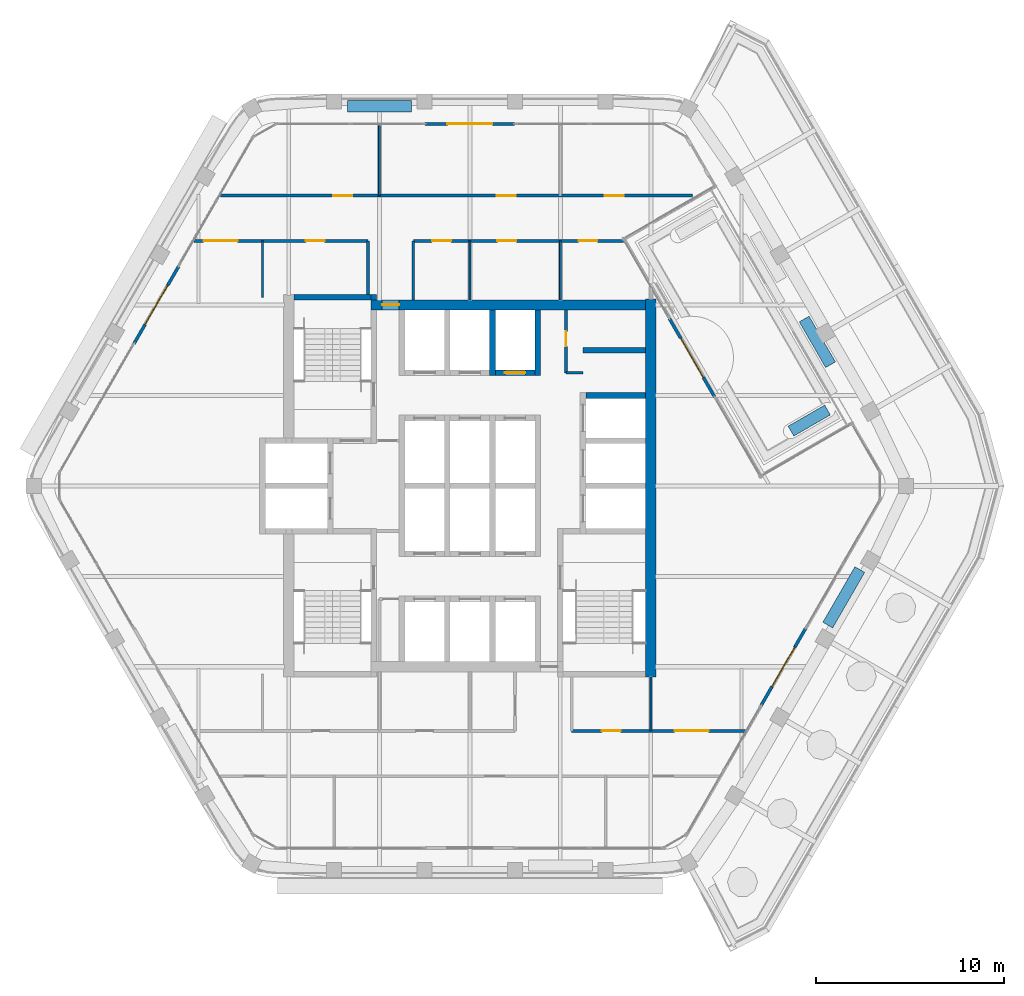
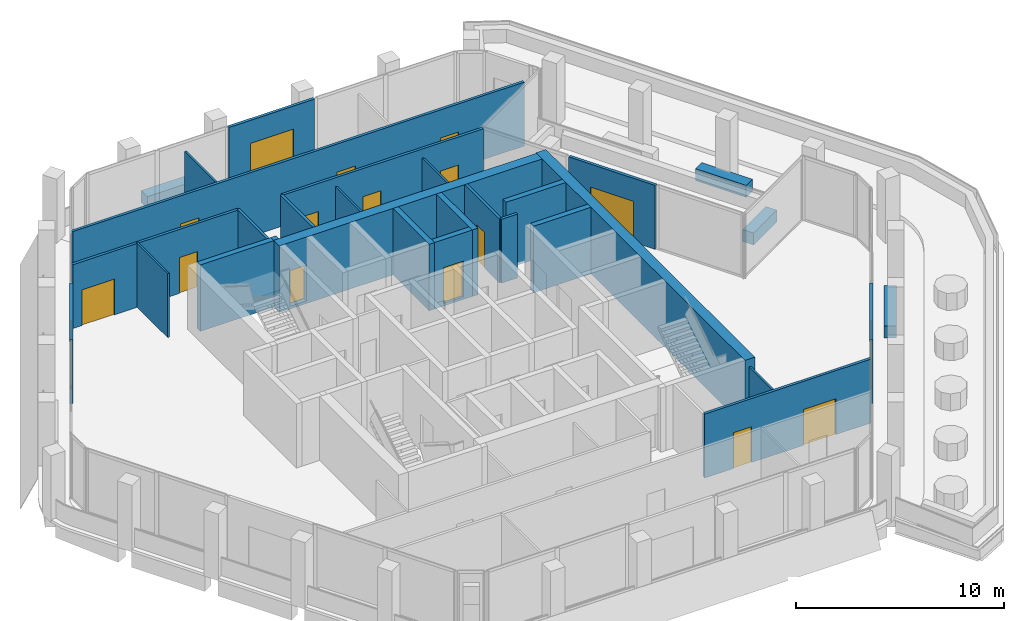
# One storey, part 13 of 17: 30 walls, 17 doors, 17 openings.
"""IFC4 building model written with IfcOpenShell, lengths in metres."""

from ifc_helpers import new_model, si_unit, direction, frame, frame_2d, origin, place, context, subcontext, project, spatial, rectangle, extrude, material, layer, layer_set, type_object, element, fill, save


model = new_model("IFC4")

# Units and contexts
model_context = context("Model", 3, precision=1e-05, world=origin(), true_north=direction((0.0, 1.0)))
body_context = subcontext(model_context, "Body", "Model", "MODEL_VIEW")
ifc_project = project(units=[si_unit("LENGTHUNIT", "METRE"), si_unit("AREAUNIT", "SQUARE_METRE"), si_unit("VOLUMEUNIT", "CUBIC_METRE"), si_unit("PLANEANGLEUNIT", "RADIAN"), si_unit("MASSUNIT", "GRAM", prefix="KILO")], contexts=[model_context])

# Site, building, storey
site_placement = place(None, origin())
site = spatial("IfcSite", under=ifc_project, at=site_placement, CompositionType="ELEMENT")
building_placement = place(site_placement, origin())
building = spatial("IfcBuilding", under=site, at=building_placement, Name="Kolab Exchange Tower", CompositionType="ELEMENT")
storey_placement = place(building_placement, frame((0.0, 0.0, 285.199951171875)))
storey = spatial("IfcBuildingStorey", under=building, at=storey_placement, Name="L64", CompositionType="ELEMENT", Elevation=285.199951171875)

# Wall, opening, door
ifc_material_1 = material(Name="Concrete C50/60", Category="concrete")
ifc_layer_1 = layer(ifc_material_1, 0.550048828125)
ifc_layer_set_1 = layer_set([ifc_layer_1], Name="Concrete C50/60")
wall_type_1 = type_object("IfcWallType", Name="CORE WALL 550 C50/60", PredefinedType="SHEAR", material=ifc_layer_set_1)
wall_1_placement = place(storey_placement, frame((-5.25, 9.60009765625, -0.14990234375), z_axis=(0.0, 0.0, 1.0), x_axis=(1.0, 0.0, 0.0)))
wall_1 = element("IfcWall", 1, at=wall_1_placement, inside=storey, type_object=wall_type_1, Name="wall/L64/core/031", PredefinedType="SHEAR", context=body_context, shape_type="SweptSolid", body=[
    extrude(rectangle(XDim=14.574951171875, YDim=0.550048828125, at=frame_2d((7.28759765625, 0.0))), origin(), (0.0, 0.0, 1.0), 3.89990234375),
])
opening_1_placement = place(wall_1_placement, frame((0.60009765625, 0.0, 0.14990234375)))
opening_1 = element("IfcOpeningElement", 2, at=opening_1_placement, cuts=wall_1, Name="Opening D6-295", PredefinedType="OPENING", context=body_context, shape_type="SweptSolid", body=[
    extrude(rectangle(XDim=0.89990234375, YDim=2.10009765625, at=frame_2d((0.449951171875, 1.050048828125))), frame((0.0, 0.28515625, 0.0), z_axis=(0.0, -1.0, 0.0), x_axis=(1.0, 0.0, 0.0)), (0.0, 0.0, 1.0), 0.570068359375),
])
ifc_material_2 = material(Name="Steel S235", Category="steel")
door_type_1 = type_object("IfcDoorType", Name="CORE DOOR 900 EI 120", OperationType="SINGLE_SWING_LEFT", PredefinedType="DOOR", material=ifc_material_2)
door_1_placement = place(opening_1_placement, frame((0.89990234375, 0.0, 0.0), z_axis=(0.0, 0.0, 1.0), x_axis=(-1.0, 0.0, 0.0)))
door_1 = element("IfcDoor", 3, at=door_1_placement, inside=storey, type_object=door_type_1, Name="Core lobby door", OperationType="SINGLE_SWING_RIGHT", OverallHeight=2.10009765625, OverallWidth=0.89990234375, PredefinedType="DOOR", context=body_context, shape_type="SweptSolid", body=[
    extrude(rectangle(XDim=0.89990234375, YDim=2.10009765625, at=frame_2d((0.449951171875, 1.050048828125))), frame((0.0, 0.02490234375, 0.0), z_axis=(0.0, -1.0, 0.0), x_axis=(1.0, 0.0, 0.0)), (0.0, 0.0, 1.0), 0.050048828125),
])
fill(opening_1, door_1)

# Wall
wall_2_placement = place(storey_placement, frame((9.60009765625, -10.14990234375, -0.14990234375), z_axis=(0.0, 0.0, 1.0), x_axis=(0.0, 1.0, 0.0)))
element("IfcWall", 4, at=wall_2_placement, inside=storey, type_object=wall_type_1, Name="wall/L64/core/058", PredefinedType="SHEAR", context=body_context, shape_type="SweptSolid", body=[
    extrude(rectangle(XDim=20.074951171875, YDim=0.550048828125, at=frame_2d((10.03759765625, 0.0))), origin(), (0.0, 0.0, 1.0), 3.89990234375),
])

# Wall, opening, door
ifc_material_3 = material(Name="Aluminium EN AW-6063 T6", Category="aluminium")
ifc_layer_2 = layer(ifc_material_3, 0.159912109375)
ifc_layer_set_2 = layer_set([ifc_layer_2], Name="Aluminium EN AW-6063 T6")
wall_type_2 = type_object("IfcWallType", Name="DOOR SURROUND WALL 160 ALUMINIUM FRAMED", PredefinedType="PARTITIONING", material=ifc_layer_set_2)
wall_3_placement = place(storey_placement, frame((-2.3701171875, 19.20458984375, 0.0), z_axis=(0.0, 0.0, 1.0), x_axis=(1.0, 0.0, 0.0)))
wall_3 = element("IfcWall", 5, at=wall_3_placement, inside=storey, type_object=wall_type_2, Name="Door surround wall", PredefinedType="PARTITIONING", context=body_context, shape_type="SweptSolid", body=[
    extrude(rectangle(XDim=4.740234375, YDim=0.159912109375, at=frame_2d((2.3701171875, 0.0))), origin(), (0.0, 0.0, 1.0), 3.75),
])
opening_2_placement = place(wall_3_placement, frame((1.169921875, 0.0, 0.0)))
opening_2 = element("IfcOpeningElement", 6, at=opening_2_placement, cuts=wall_3, Name="Opening GD1-089", PredefinedType="OPENING", context=body_context, shape_type="SweptSolid", body=[
    extrude(rectangle(XDim=2.39990234375, YDim=2.39990234375, at=frame_2d((1.199951171875, 1.199951171875))), frame((0.0, 0.08984375, 0.0), z_axis=(0.0, -1.0, 0.0), x_axis=(1.0, 0.0, 0.0)), (0.0, 0.0, 1.0), 0.179931640625),
])
door_type_2 = type_object("IfcDoorType", Name="LOGGIA SLIDING GLASS DOOR 2400 X 2400", OperationType="DOUBLE_DOOR_SINGLE_SWING", PredefinedType="DOOR", material=ifc_material_3)
door_2_placement = place(opening_2_placement, origin())
door_2 = element("IfcDoor", 7, at=door_2_placement, inside=storey, type_object=door_type_2, Name="Loggia door", OperationType="DOUBLE_DOOR_SLIDING", OverallHeight=2.39990234375, OverallWidth=2.39990234375, PredefinedType="DOOR", context=body_context, shape_type="SweptSolid", body=[
    extrude(rectangle(XDim=2.39990234375, YDim=2.39990234375, at=frame_2d((1.199951171875, 1.199951171875))), frame((0.0, 0.02490234375, 0.0), z_axis=(0.0, -1.0, 0.0), x_axis=(1.0, 0.0, 0.0)), (0.0, 0.0, 1.0), 0.050048828125),
])
fill(opening_2, door_2)

wall_4_placement = place(storey_placement, frame((10.58349609375, 8.8779296875, 0.0), z_axis=(0.0, 0.0, 1.0), x_axis=(0.500011970786, -0.866018492338, 0.0)))
wall_4 = element("IfcWall", 8, at=wall_4_placement, inside=storey, type_object=wall_type_2, Name="Door surround wall", PredefinedType="PARTITIONING", context=body_context, shape_type="SweptSolid", body=[
    extrude(rectangle(XDim=4.79345703125, YDim=0.159912109375, at=frame_2d((2.396728515625, 0.0))), origin(), (0.0, 0.0, 1.0), 3.75),
])
opening_3_placement = place(wall_4_placement, frame((1.19677734375, 0.0, 0.0)))
opening_3 = element("IfcOpeningElement", 9, at=opening_3_placement, cuts=wall_4, Name="Opening GD1-115", PredefinedType="OPENING", context=body_context, shape_type="SweptSolid", body=[
    extrude(rectangle(XDim=2.39990234375, YDim=2.39990234375, at=frame_2d((1.199951171875, 1.199951171875))), frame((0.0, 0.08984375, 0.0), z_axis=(0.0, -1.0, 0.0), x_axis=(1.0, 0.0, 0.0)), (0.0, 0.0, 1.0), 0.179931640625),
])
door_3_placement = place(opening_3_placement, origin())
door_3 = element("IfcDoor", 10, at=door_3_placement, inside=storey, type_object=door_type_2, Name="Loggia door", OperationType="DOUBLE_DOOR_SLIDING", OverallHeight=2.39990234375, OverallWidth=2.39990234375, PredefinedType="DOOR", context=body_context, shape_type="SweptSolid", body=[
    extrude(rectangle(XDim=2.39990234375, YDim=2.39990234375, at=frame_2d((1.199951171875, 1.199951171875))), frame((0.0, 0.02490234375, 0.0), z_axis=(0.0, -1.0, 0.0), x_axis=(1.0, 0.0, 0.0)), (0.0, 0.0, 1.0), 0.050048828125),
])
fill(opening_3, door_3)

wall_5_placement = place(storey_placement, frame((17.816650390625, -7.5498046875, 0.0), z_axis=(0.0, 0.0, 1.0), x_axis=(-0.499978080042, -0.866038058908, 0.0)))
wall_5 = element("IfcWall", 11, at=wall_5_placement, inside=storey, type_object=wall_type_2, Name="Door surround wall", PredefinedType="PARTITIONING", context=body_context, shape_type="SweptSolid", body=[
    extrude(rectangle(XDim=4.739990234375, YDim=0.159912109375, at=frame_2d((2.3701171875, 0.0))), origin(), (0.0, 0.0, 1.0), 3.75),
])
opening_4_placement = place(wall_5_placement, frame((1.169921875, 0.0, 0.0)))
opening_4 = element("IfcOpeningElement", 12, at=opening_4_placement, cuts=wall_5, Name="Opening GD1-091", PredefinedType="OPENING", context=body_context, shape_type="SweptSolid", body=[
    extrude(rectangle(XDim=2.39990234375, YDim=2.39990234375, at=frame_2d((1.199951171875, 1.199951171875))), frame((0.0, 0.08984375, 0.0), z_axis=(0.0, -1.0, 0.0), x_axis=(1.0, 0.0, 0.0)), (0.0, 0.0, 1.0), 0.179931640625),
])
door_4_placement = place(opening_4_placement, origin())
door_4 = element("IfcDoor", 13, at=door_4_placement, inside=storey, type_object=door_type_2, Name="Loggia door", OperationType="DOUBLE_DOOR_SLIDING", OverallHeight=2.39990234375, OverallWidth=2.39990234375, PredefinedType="DOOR", context=body_context, shape_type="SweptSolid", body=[
    extrude(rectangle(XDim=2.39990234375, YDim=2.39990234375, at=frame_2d((1.199951171875, 1.199951171875))), frame((0.0, 0.02490234375, 0.0), z_axis=(0.0, -1.0, 0.0), x_axis=(1.0, 0.0, 0.0)), (0.0, 0.0, 1.0), 0.050048828125),
])
fill(opening_4, door_4)

wall_6_placement = place(storey_placement, frame((-17.816650390625, 7.5498046875, 0.0), z_axis=(0.0, 0.0, 1.0), x_axis=(0.499978080042, 0.866038058908, 0.0)))
wall_6 = element("IfcWall", 14, at=wall_6_placement, inside=storey, type_object=wall_type_2, Name="Door surround wall", PredefinedType="PARTITIONING", context=body_context, shape_type="SweptSolid", body=[
    extrude(rectangle(XDim=4.739990234375, YDim=0.159912109375, at=frame_2d((2.3701171875, 0.0))), origin(), (0.0, 0.0, 1.0), 3.75),
])
opening_5_placement = place(wall_6_placement, frame((1.169921875, 0.0, 0.0)))
opening_5 = element("IfcOpeningElement", 15, at=opening_5_placement, cuts=wall_6, Name="Opening GD1-094", PredefinedType="OPENING", context=body_context, shape_type="SweptSolid", body=[
    extrude(rectangle(XDim=2.39990234375, YDim=2.39990234375, at=frame_2d((1.199951171875, 1.199951171875))), frame((0.0, 0.08984375, 0.0), z_axis=(0.0, -1.0, 0.0), x_axis=(1.0, 0.0, 0.0)), (0.0, 0.0, 1.0), 0.179931640625),
])
door_5_placement = place(opening_5_placement, origin())
door_5 = element("IfcDoor", 16, at=door_5_placement, inside=storey, type_object=door_type_2, Name="Loggia door", OperationType="DOUBLE_DOOR_SLIDING", OverallHeight=2.39990234375, OverallWidth=2.39990234375, PredefinedType="DOOR", context=body_context, shape_type="SweptSolid", body=[
    extrude(rectangle(XDim=2.39990234375, YDim=2.39990234375, at=frame_2d((1.199951171875, 1.199951171875))), frame((0.0, 0.02490234375, 0.0), z_axis=(0.0, -1.0, 0.0), x_axis=(1.0, 0.0, 0.0)), (0.0, 0.0, 1.0), 0.050048828125),
])
fill(opening_5, door_5)

# Wall
ifc_layer_3 = layer(ifc_material_1, 0.300048828125)
ifc_layer_set_3 = layer_set([ifc_layer_3], Name="Concrete C50/60")
wall_type_3 = type_object("IfcWallType", Name="LIFT SHAFT WALL 300 C50/60", PredefinedType="STANDARD", material=ifc_layer_set_3)
wall_7_placement = place(storey_placement, frame((6.14990234375, 4.800048828125, -0.14990234375), z_axis=(0.0, 0.0, 1.0), x_axis=(1.0, 0.0, 0.0)))
element("IfcWall", 17, at=wall_7_placement, inside=storey, type_object=wall_type_3, Name="wall/L64/core/026", PredefinedType="STANDARD", context=body_context, shape_type="SweptSolid", body=[
    extrude(rectangle(XDim=3.175048828125, YDim=0.300048828125, at=frame_2d((1.58740234375, 0.0))), origin(), (0.0, 0.0, 1.0), 3.89990234375),
])

# Wall, opening, door
wall_8_placement = place(storey_placement, frame((1.35009765625, 6.0, -0.14990234375), z_axis=(0.0, 0.0, 1.0), x_axis=(1.0, 0.0, 0.0)))
wall_8 = element("IfcWall", 18, at=wall_8_placement, inside=storey, type_object=wall_type_3, Name="wall/L64/core/029", PredefinedType="STANDARD", context=body_context, shape_type="SweptSolid", body=[
    extrude(rectangle(XDim=2.099853515625, YDim=0.300048828125, at=frame_2d((1.0498046875, 0.0))), origin(), (0.0, 0.0, 1.0), 3.89990234375),
])
opening_6_placement = place(wall_8_placement, frame((0.5, 0.0, 0.14990234375)))
opening_6 = element("IfcOpeningElement", 19, at=opening_6_placement, cuts=wall_8, Name="Opening LD1-114", PredefinedType="OPENING", context=body_context, shape_type="SweptSolid", body=[
    extrude(rectangle(XDim=1.10009765625, YDim=2.10009765625, at=frame_2d((0.550048828125, 1.050048828125))), frame((0.0, 0.16015625, 0.0), z_axis=(0.0, -1.0, 0.0), x_axis=(1.0, 0.0, 0.0)), (0.0, 0.0, 1.0), 0.320068359375),
])
ifc_material_4 = material(Name="Stainless steel 316", Category="steel")
door_type_3 = type_object("IfcDoorType", Name="LANDING DOOR 1100 PASSENGER", OperationType="DOUBLE_DOOR_SLIDING", PredefinedType="DOOR", material=ifc_material_4)
door_6_placement = place(opening_6_placement, origin())
door_6 = element("IfcDoor", 20, at=door_6_placement, inside=storey, type_object=door_type_3, Name="Landing door HR3", OperationType="DOUBLE_DOOR_SLIDING", OverallHeight=2.10009765625, OverallWidth=1.10009765625, PredefinedType="DOOR", context=body_context, shape_type="SweptSolid", body=[
    extrude(rectangle(XDim=1.10009765625, YDim=2.10009765625, at=frame_2d((0.550048828125, 1.050048828125))), frame((0.0, 0.02490234375, 0.0), z_axis=(0.0, -1.0, 0.0), x_axis=(1.0, 0.0, 0.0)), (0.0, 0.0, 1.0), 0.050048828125),
])
fill(opening_6, door_6)

# Walls
wall_9_placement = place(storey_placement, frame((6.0, 7.199951171875, -0.14990234375), z_axis=(0.0, 0.0, 1.0), x_axis=(1.0, 0.0, 0.0)))
element("IfcWall", 21, at=wall_9_placement, inside=storey, type_object=wall_type_3, Name="wall/L64/core/030", PredefinedType="STANDARD", context=body_context, shape_type="SweptSolid", body=[
    extrude(rectangle(XDim=3.324951171875, YDim=0.300048828125, at=frame_2d((1.66259765625, 0.0))), origin(), (0.0, 0.0, 1.0), 3.89990234375),
])
for number, where, z_axis, x_axis, name in (
    (22, (1.199951171875, 5.85009765625, -0.14990234375), (0.0, 0.0, 1.0), (0.0, 1.0, 0.0), "wall/L64/core/051"),
    (23, (3.60009765625, 5.85009765625, -0.14990234375), (0.0, 0.0, 1.0), (0.0, 1.0, 0.0), "wall/L64/core/054"),
):
    element("IfcWall", number, at=place(storey_placement, frame(where, z_axis=z_axis, x_axis=x_axis)), inside=storey, type_object=wall_type_3, Name=name, PredefinedType="STANDARD", context=body_context, shape_type="SweptSolid", body=[
        extrude(rectangle(XDim=3.474853515625, YDim=0.300048828125, at=frame_2d((1.7373046875, 0.0))), origin(), (0.0, 0.0, 1.0), 3.89990234375),
    ])
ifc_material_5 = material(Name="Gypsum board", Category="gypsum")
ifc_layer_4 = layer(ifc_material_5, 0.10009765625)
ifc_layer_set_4 = layer_set([ifc_layer_4], Name="Gypsum board")
wall_type_4 = type_object("IfcWallType", Name="PARTITION 100", PredefinedType="PARTITIONING", material=ifc_layer_set_4)
wall_10_placement = place(storey_placement, frame((9.60009765625, -13.0, 0.0), z_axis=(0.0, 0.0, 1.0), x_axis=(0.0, 1.0, 0.0)))
element("IfcWall", 24, at=wall_10_placement, inside=storey, type_object=wall_type_4, Name="Partition 000", PredefinedType="PARTITIONING", context=body_context, shape_type="SweptSolid", body=[
    extrude(rectangle(XDim=2.85009765625, YDim=0.10009765625, at=frame_2d((1.425048828125, 0.0))), origin(), (0.0, 0.0, 1.0), 3.29296875),
])
for number, where, z_axis, x_axis, name in (
    (25, (4.800048828125, 9.875, 0.0), (0.0, 0.0, 1.0), (0.0, 1.0, 0.0), "Partition 005"),
    (26, (0.0, 9.875, 0.0), (0.0, 0.0, 1.0), (0.0, 1.0, 0.0), "Partition 009"),
):
    element("IfcWall", number, at=place(storey_placement, frame(where, z_axis=z_axis, x_axis=x_axis)), inside=storey, type_object=wall_type_4, Name=name, PredefinedType="PARTITIONING", context=body_context, shape_type="SweptSolid", body=[
        extrude(rectangle(XDim=3.125, YDim=0.10009765625, at=frame_2d((1.5625, 0.0))), origin(), (0.0, 0.0, 1.0), 3.217041015625),
    ])
wall_11_placement = place(storey_placement, frame((-4.800048828125, 15.39990234375, 0.0), z_axis=(0.0, 0.0, 1.0), x_axis=(0.0, 1.0, 0.0)))
element("IfcWall", 27, at=wall_11_placement, inside=storey, type_object=wall_type_4, Name="Partition 012", PredefinedType="PARTITIONING", context=body_context, shape_type="SweptSolid", body=[
    extrude(rectangle(XDim=3.714599609375, YDim=0.10009765625, at=frame_2d((1.857421875, 0.0))), origin(), (0.0, 0.0, 1.0), 3.217041015625),
])
wall_12_placement = place(storey_placement, frame((-11.0, 10.0, 0.0), z_axis=(0.0, 0.0, 1.0), x_axis=(0.0, 1.0, 0.0)))
element("IfcWall", 28, at=wall_12_placement, inside=storey, type_object=wall_type_4, Name="Partition 017", PredefinedType="PARTITIONING", context=body_context, shape_type="SweptSolid", body=[
    extrude(rectangle(XDim=3.0, YDim=0.10009765625, at=frame_2d((1.5, 0.0))), origin(), (0.0, 0.0, 1.0), 3.75),
])

# Wall, opening, door
ifc_layer_5 = layer(ifc_material_5, 0.14990234375)
ifc_layer_set_5 = layer_set([ifc_layer_5], Name="Gypsum board")
wall_type_5 = type_object("IfcWallType", Name="PARTITION 150 FIRE-RATED", PredefinedType="PARTITIONING", material=ifc_layer_set_5)
wall_13_placement = place(storey_placement, frame((5.10009765625, 6.0, 0.0), z_axis=(0.0, 0.0, 1.0), x_axis=(0.0, 1.0, 0.0)))
wall_13 = element("IfcWall", 29, at=wall_13_placement, inside=storey, type_object=wall_type_5, Name="Partition 004", PredefinedType="PARTITIONING", context=body_context, shape_type="SweptSolid", body=[
    extrude(rectangle(XDim=3.324951171875, YDim=0.14990234375, at=frame_2d((1.66259765625, 0.0))), origin(), (0.0, 0.0, 1.0), 3.75),
])
opening_7_placement = place(wall_13_placement, frame((1.39990234375, 0.0, 0.0)))
opening_7 = element("IfcOpeningElement", 30, at=opening_7_placement, cuts=wall_13, Name="Opening D7-042", PredefinedType="OPENING", context=body_context, shape_type="SweptSolid", body=[
    extrude(rectangle(XDim=0.800048828125, YDim=2.10009765625, at=frame_2d((0.39990234375, 1.050048828125))), frame((0.0, 0.0849609375, 0.0), z_axis=(0.0, -1.0, 0.0), x_axis=(1.0, 0.0, 0.0)), (0.0, 0.0, 1.0), 0.169921875),
])
door_type_4 = type_object("IfcDoorType", Name="FLUSH DOOR 800 FD60", OperationType="SINGLE_SWING_LEFT", PredefinedType="DOOR", material=ifc_material_2)
door_7_placement = place(opening_7_placement, frame((0.800048828125, 0.0, 0.0), z_axis=(0.0, 0.0, 1.0), x_axis=(-1.0, 0.0, 0.0)))
door_7 = element("IfcDoor", 31, at=door_7_placement, inside=storey, type_object=door_type_4, Name="Door L64-023", OperationType="SINGLE_SWING_LEFT", OverallHeight=2.10009765625, OverallWidth=0.800048828125, PredefinedType="DOOR", context=body_context, shape_type="SweptSolid", body=[
    extrude(rectangle(XDim=0.800048828125, YDim=2.10009765625, at=frame_2d((0.39990234375, 1.050048828125))), frame((0.0, 0.02490234375, 0.0), z_axis=(0.0, -1.0, 0.0), x_axis=(1.0, 0.0, 0.0)), (0.0, 0.0, 1.0), 0.050048828125),
])
fill(opening_7, door_7)

# Walls
wall_14_placement = place(storey_placement, frame((-3.0, 9.875, 0.0), z_axis=(0.0, 0.0, 1.0), x_axis=(0.0, 1.0, 0.0)))
element("IfcWall", 32, at=wall_14_placement, inside=storey, type_object=wall_type_5, Name="Partition 010", PredefinedType="PARTITIONING", context=body_context, shape_type="SweptSolid", body=[
    extrude(rectangle(XDim=3.125, YDim=0.14990234375, at=frame_2d((1.5625, 0.0))), origin(), (0.0, 0.0, 1.0), 3.75),
])
wall_15_placement = place(storey_placement, frame((-5.39990234375, 10.14990234375, 0.0), z_axis=(0.0, 0.0, 1.0), x_axis=(0.0, 1.0, 0.0)))
element("IfcWall", 33, at=wall_15_placement, inside=storey, type_object=wall_type_5, Name="Partition 014", PredefinedType="PARTITIONING", context=body_context, shape_type="SweptSolid", body=[
    extrude(rectangle(XDim=2.85009765625, YDim=0.14990234375, at=frame_2d((1.425048828125, 0.0))), origin(), (0.0, 0.0, 1.0), 3.75),
])

# Wall, openings, doors
wall_16_placement = place(storey_placement, frame((5.39990234375, -13.0, 0.0), z_axis=(0.0, 0.0, 1.0), x_axis=(1.0, 0.0, 0.0)))
wall_16 = element("IfcWall", 34, at=wall_16_placement, inside=storey, type_object=wall_type_5, Name="Partition 020", PredefinedType="PARTITIONING", context=body_context, shape_type="SweptSolid", body=[
    extrude(rectangle(XDim=9.223876953125, YDim=0.14990234375, at=frame_2d((4.61181640625, 0.0))), origin(), (0.0, 0.0, 1.0), 3.75),
])
opening_8_placement = place(wall_16_placement, frame((1.60009765625, 0.0, 0.0)))
opening_8 = element("IfcOpeningElement", 35, at=opening_8_placement, cuts=wall_16, Name="Opening D1-745", PredefinedType="OPENING", context=body_context, shape_type="SweptSolid", body=[
    extrude(rectangle(XDim=1.0, YDim=2.10009765625, at=frame_2d((0.5, 1.050048828125))), frame((0.0, 0.0849609375, 0.0), z_axis=(0.0, -1.0, 0.0), x_axis=(1.0, 0.0, 0.0)), (0.0, 0.0, 1.0), 0.169921875),
])
opening_9_placement = place(wall_16_placement, frame((5.466796875, 0.0, 0.0)))
opening_9 = element("IfcOpeningElement", 36, at=opening_9_placement, cuts=wall_16, Name="Opening D2-076", PredefinedType="OPENING", context=body_context, shape_type="SweptSolid", body=[
    extrude(rectangle(XDim=1.800048828125, YDim=2.10009765625, at=frame_2d((0.89990234375, 1.050048828125))), frame((0.0, 0.0849609375, 0.0), z_axis=(0.0, -1.0, 0.0), x_axis=(1.0, 0.0, 0.0)), (0.0, 0.0, 1.0), 0.169921875),
])
door_type_5 = type_object("IfcDoorType", Name="DOUBLE DOOR 1800 FD60", OperationType="DOUBLE_DOOR_SINGLE_SWING", PredefinedType="DOOR", material=ifc_material_2)
door_8_placement = place(opening_9_placement, origin())
door_8 = element("IfcDoor", 37, at=door_8_placement, inside=storey, type_object=door_type_5, Name="Door L64-045", OperationType="SINGLE_SWING_LEFT", OverallHeight=2.10009765625, OverallWidth=1.800048828125, PredefinedType="DOOR", context=body_context, shape_type="SweptSolid", body=[
    extrude(rectangle(XDim=1.800048828125, YDim=2.10009765625, at=frame_2d((0.89990234375, 1.050048828125))), frame((0.0, 0.02490234375, 0.0), z_axis=(0.0, -1.0, 0.0), x_axis=(1.0, 0.0, 0.0)), (0.0, 0.0, 1.0), 0.050048828125),
])
fill(opening_9, door_8)
door_type_6 = type_object("IfcDoorType", Name="FLUSH DOOR 1000 FD60", OperationType="SINGLE_SWING_LEFT", PredefinedType="DOOR", material=ifc_material_2)
door_9_placement = place(opening_8_placement, origin())
door_9 = element("IfcDoor", 38, at=door_9_placement, inside=storey, type_object=door_type_6, Name="Door L64-035", OperationType="SINGLE_SWING_LEFT", OverallHeight=2.10009765625, OverallWidth=1.0, PredefinedType="DOOR", context=body_context, shape_type="SweptSolid", body=[
    extrude(rectangle(XDim=1.0, YDim=2.10009765625, at=frame_2d((0.5, 1.050048828125))), frame((0.0, 0.02490234375, 0.0), z_axis=(0.0, -1.0, 0.0), x_axis=(1.0, 0.0, 0.0)), (0.0, 0.0, 1.0), 0.050048828125),
])
fill(opening_8, door_9)

# Wall
wall_17_placement = place(storey_placement, frame((5.10009765625, 6.0, 0.0), z_axis=(0.0, 0.0, 1.0), x_axis=(1.0, 0.0, 0.0)))
element("IfcWall", 39, at=wall_17_placement, inside=storey, type_object=wall_type_5, Name="Partition 022", PredefinedType="PARTITIONING", context=body_context, shape_type="SweptSolid", body=[
    extrude(rectangle(XDim=0.89990234375, YDim=0.14990234375, at=frame_2d((0.449951171875, 0.0))), origin(), (0.0, 0.0, 1.0), 3.75),
])

# Wall, openings, doors
wall_18_placement = place(storey_placement, frame((-14.623779296875, 13.0, 0.0), z_axis=(0.0, 0.0, 1.0), x_axis=(1.0, 0.0, 0.0)))
wall_18 = element("IfcWall", 40, at=wall_18_placement, inside=storey, type_object=wall_type_5, Name="Partition 023", PredefinedType="PARTITIONING", context=body_context, shape_type="SweptSolid", body=[
    extrude(rectangle(XDim=9.223876953125, YDim=0.14990234375, at=frame_2d((4.61181640625, 0.0))), origin(), (0.0, 0.0, 1.0), 3.75),
])
opening_10_placement = place(wall_18_placement, frame((5.923828125, 0.0, 0.0)))
opening_10 = element("IfcOpeningElement", 41, at=opening_10_placement, cuts=wall_18, Name="Opening D1-744", PredefinedType="OPENING", context=body_context, shape_type="SweptSolid", body=[
    extrude(rectangle(XDim=1.0, YDim=2.10009765625, at=frame_2d((0.5, 1.050048828125))), frame((0.0, 0.0849609375, 0.0), z_axis=(0.0, -1.0, 0.0), x_axis=(1.0, 0.0, 0.0)), (0.0, 0.0, 1.0), 0.169921875),
])
opening_11_placement = place(wall_18_placement, frame((0.501953125, 0.0, 0.0)))
opening_11 = element("IfcOpeningElement", 42, at=opening_11_placement, cuts=wall_18, Name="Opening D2-077", PredefinedType="OPENING", context=body_context, shape_type="SweptSolid", body=[
    extrude(rectangle(XDim=1.800048828125, YDim=2.10009765625, at=frame_2d((0.89990234375, 1.050048828125))), frame((0.0, 0.0849609375, 0.0), z_axis=(0.0, -1.0, 0.0), x_axis=(1.0, 0.0, 0.0)), (0.0, 0.0, 1.0), 0.169921875),
])
door_10_placement = place(opening_11_placement, frame((1.800048828125, 0.0, 0.0), z_axis=(0.0, 0.0, 1.0), x_axis=(-1.0, 0.0, 0.0)))
door_10 = element("IfcDoor", 43, at=door_10_placement, inside=storey, type_object=door_type_5, Name="Door L64-046", OperationType="SINGLE_SWING_LEFT", OverallHeight=2.10009765625, OverallWidth=1.800048828125, PredefinedType="DOOR", context=body_context, shape_type="SweptSolid", body=[
    extrude(rectangle(XDim=1.800048828125, YDim=2.10009765625, at=frame_2d((0.89990234375, 1.050048828125))), frame((0.0, 0.02490234375, 0.0), z_axis=(0.0, -1.0, 0.0), x_axis=(1.0, 0.0, 0.0)), (0.0, 0.0, 1.0), 0.050048828125),
])
fill(opening_11, door_10)
door_11_placement = place(opening_10_placement, frame((1.0, 0.0, 0.0), z_axis=(0.0, 0.0, 1.0), x_axis=(-1.0, 0.0, 0.0)))
door_11 = element("IfcDoor", 44, at=door_11_placement, inside=storey, type_object=door_type_6, Name="Door L64-034", OperationType="SINGLE_SWING_RIGHT", OverallHeight=2.10009765625, OverallWidth=1.0, PredefinedType="DOOR", context=body_context, shape_type="SweptSolid", body=[
    extrude(rectangle(XDim=1.0, YDim=2.10009765625, at=frame_2d((0.5, 1.050048828125))), frame((0.0, 0.02490234375, 0.0), z_axis=(0.0, -1.0, 0.0), x_axis=(1.0, 0.0, 0.0)), (0.0, 0.0, 1.0), 0.050048828125),
])
fill(opening_10, door_11)

wall_19_placement = place(storey_placement, frame((-3.0, 13.0, 0.0), z_axis=(0.0, 0.0, 1.0), x_axis=(1.0, 0.0, 0.0)))
wall_19 = element("IfcWall", 45, at=wall_19_placement, inside=storey, type_object=wall_type_5, Name="Partition 024", PredefinedType="PARTITIONING", context=body_context, shape_type="SweptSolid", body=[
    extrude(rectangle(XDim=11.157470703125, YDim=0.14990234375, at=frame_2d((5.57861328125, 0.0))), origin(), (0.0, 0.0, 1.0), 3.75),
])
opening_12_placement = place(wall_19_placement, frame((1.0, 0.0, 0.0)))
opening_12 = element("IfcOpeningElement", 46, at=opening_12_placement, cuts=wall_19, Name="Opening D1-741", PredefinedType="OPENING", context=body_context, shape_type="SweptSolid", body=[
    extrude(rectangle(XDim=1.0, YDim=2.10009765625, at=frame_2d((0.5, 1.050048828125))), frame((0.0, 0.0849609375, 0.0), z_axis=(0.0, -1.0, 0.0), x_axis=(1.0, 0.0, 0.0)), (0.0, 0.0, 1.0), 0.169921875),
])
opening_13_placement = place(wall_19_placement, frame((4.465087890625, 0.0, 0.0)))
opening_13 = element("IfcOpeningElement", 47, at=opening_13_placement, cuts=wall_19, Name="Opening D1-742", PredefinedType="OPENING", context=body_context, shape_type="SweptSolid", body=[
    extrude(rectangle(XDim=1.0, YDim=2.10009765625, at=frame_2d((0.5, 1.050048828125))), frame((0.0, 0.0849609375, 0.0), z_axis=(0.0, -1.0, 0.0), x_axis=(1.0, 0.0, 0.0)), (0.0, 0.0, 1.0), 0.169921875),
])
opening_14_placement = place(wall_19_placement, frame((8.763671875, 0.0, 0.0)))
opening_14 = element("IfcOpeningElement", 48, at=opening_14_placement, cuts=wall_19, Name="Opening D1-743", PredefinedType="OPENING", context=body_context, shape_type="SweptSolid", body=[
    extrude(rectangle(XDim=1.0, YDim=2.10009765625, at=frame_2d((0.5, 1.050048828125))), frame((0.0, 0.0849609375, 0.0), z_axis=(0.0, -1.0, 0.0), x_axis=(1.0, 0.0, 0.0)), (0.0, 0.0, 1.0), 0.169921875),
])
door_12_placement = place(opening_12_placement, frame((1.0, 0.0, 0.0), z_axis=(0.0, 0.0, 1.0), x_axis=(-1.0, 0.0, 0.0)))
door_12 = element("IfcDoor", 49, at=door_12_placement, inside=storey, type_object=door_type_6, Name="Door L64-031", OperationType="SINGLE_SWING_LEFT", OverallHeight=2.10009765625, OverallWidth=1.0, PredefinedType="DOOR", context=body_context, shape_type="SweptSolid", body=[
    extrude(rectangle(XDim=1.0, YDim=2.10009765625, at=frame_2d((0.5, 1.050048828125))), frame((0.0, 0.02490234375, 0.0), z_axis=(0.0, -1.0, 0.0), x_axis=(1.0, 0.0, 0.0)), (0.0, 0.0, 1.0), 0.050048828125),
])
fill(opening_12, door_12)
door_13_placement = place(opening_13_placement, frame((1.0, 0.0, 0.0), z_axis=(0.0, 0.0, 1.0), x_axis=(-1.0, 0.0, 0.0)))
door_13 = element("IfcDoor", 50, at=door_13_placement, inside=storey, type_object=door_type_6, Name="Door L64-032", OperationType="SINGLE_SWING_LEFT", OverallHeight=2.10009765625, OverallWidth=1.0, PredefinedType="DOOR", context=body_context, shape_type="SweptSolid", body=[
    extrude(rectangle(XDim=1.0, YDim=2.10009765625, at=frame_2d((0.5, 1.050048828125))), frame((0.0, 0.02490234375, 0.0), z_axis=(0.0, -1.0, 0.0), x_axis=(1.0, 0.0, 0.0)), (0.0, 0.0, 1.0), 0.050048828125),
])
fill(opening_13, door_13)
door_14_placement = place(opening_14_placement, frame((1.0, 0.0, 0.0), z_axis=(0.0, 0.0, 1.0), x_axis=(-1.0, 0.0, 0.0)))
door_14 = element("IfcDoor", 51, at=door_14_placement, inside=storey, type_object=door_type_6, Name="Door L64-033", OperationType="SINGLE_SWING_LEFT", OverallHeight=2.10009765625, OverallWidth=1.0, PredefinedType="DOOR", context=body_context, shape_type="SweptSolid", body=[
    extrude(rectangle(XDim=1.0, YDim=2.10009765625, at=frame_2d((0.5, 1.050048828125))), frame((0.0, 0.02490234375, 0.0), z_axis=(0.0, -1.0, 0.0), x_axis=(1.0, 0.0, 0.0)), (0.0, 0.0, 1.0), 0.050048828125),
])
fill(opening_14, door_14)

wall_20_placement = place(storey_placement, frame((-13.23828125, 15.39990234375, 0.0), z_axis=(0.0, 0.0, 1.0), x_axis=(1.0, 0.0, 0.0)))
wall_20 = element("IfcWall", 52, at=wall_20_placement, inside=storey, type_object=wall_type_5, Name="Partition 025", PredefinedType="PARTITIONING", context=body_context, shape_type="SweptSolid", body=[
    extrude(rectangle(XDim=25.0419921875, YDim=0.14990234375, at=frame_2d((12.52099609375, 0.0))), origin(), (0.0, 0.0, 1.0), 3.75),
])
opening_15_placement = place(wall_20_placement, frame((5.98681640625, 0.0, 0.0)))
opening_15 = element("IfcOpeningElement", 53, at=opening_15_placement, cuts=wall_20, Name="Opening D1-747", PredefinedType="OPENING", context=body_context, shape_type="SweptSolid", body=[
    extrude(rectangle(XDim=1.0, YDim=2.10009765625, at=frame_2d((0.5, 1.050048828125))), frame((0.0, 0.0849609375, 0.0), z_axis=(0.0, -1.0, 0.0), x_axis=(1.0, 0.0, 0.0)), (0.0, 0.0, 1.0), 0.169921875),
])
opening_16_placement = place(wall_20_placement, frame((14.6630859375, 0.0, 0.0)))
opening_16 = element("IfcOpeningElement", 54, at=opening_16_placement, cuts=wall_20, Name="Opening D1-748", PredefinedType="OPENING", context=body_context, shape_type="SweptSolid", body=[
    extrude(rectangle(XDim=1.0, YDim=2.10009765625, at=frame_2d((0.5, 1.050048828125))), frame((0.0, 0.0849609375, 0.0), z_axis=(0.0, -1.0, 0.0), x_axis=(1.0, 0.0, 0.0)), (0.0, 0.0, 1.0), 0.169921875),
])
opening_17_placement = place(wall_20_placement, frame((20.39404296875, 0.0, 0.0)))
opening_17 = element("IfcOpeningElement", 55, at=opening_17_placement, cuts=wall_20, Name="Opening D1-749", PredefinedType="OPENING", context=body_context, shape_type="SweptSolid", body=[
    extrude(rectangle(XDim=1.0, YDim=2.10009765625, at=frame_2d((0.5, 1.050048828125))), frame((0.0, 0.0849609375, 0.0), z_axis=(0.0, -1.0, 0.0), x_axis=(1.0, 0.0, 0.0)), (0.0, 0.0, 1.0), 0.169921875),
])
door_15_placement = place(opening_15_placement, origin())
door_15 = element("IfcDoor", 56, at=door_15_placement, inside=storey, type_object=door_type_6, Name="Door L64-039", OperationType="SINGLE_SWING_RIGHT", OverallHeight=2.10009765625, OverallWidth=1.0, PredefinedType="DOOR", context=body_context, shape_type="SweptSolid", body=[
    extrude(rectangle(XDim=1.0, YDim=2.10009765625, at=frame_2d((0.5, 1.050048828125))), frame((0.0, 0.02490234375, 0.0), z_axis=(0.0, -1.0, 0.0), x_axis=(1.0, 0.0, 0.0)), (0.0, 0.0, 1.0), 0.050048828125),
])
fill(opening_15, door_15)
door_16_placement = place(opening_16_placement, origin())
door_16 = element("IfcDoor", 57, at=door_16_placement, inside=storey, type_object=door_type_6, Name="Door L64-040", OperationType="SINGLE_SWING_RIGHT", OverallHeight=2.10009765625, OverallWidth=1.0, PredefinedType="DOOR", context=body_context, shape_type="SweptSolid", body=[
    extrude(rectangle(XDim=1.0, YDim=2.10009765625, at=frame_2d((0.5, 1.050048828125))), frame((0.0, 0.02490234375, 0.0), z_axis=(0.0, -1.0, 0.0), x_axis=(1.0, 0.0, 0.0)), (0.0, 0.0, 1.0), 0.050048828125),
])
fill(opening_16, door_16)
door_17_placement = place(opening_17_placement, origin())
door_17 = element("IfcDoor", 58, at=door_17_placement, inside=storey, type_object=door_type_6, Name="Door L64-041", OperationType="SINGLE_SWING_LEFT", OverallHeight=2.10009765625, OverallWidth=1.0, PredefinedType="DOOR", context=body_context, shape_type="SweptSolid", body=[
    extrude(rectangle(XDim=1.0, YDim=2.10009765625, at=frame_2d((0.5, 1.050048828125))), frame((0.0, 0.02490234375, 0.0), z_axis=(0.0, -1.0, 0.0), x_axis=(1.0, 0.0, 0.0)), (0.0, 0.0, 1.0), 0.050048828125),
])
fill(opening_17, door_17)

# Walls
ifc_material_6 = material(Name="Granite facing", Category="masonry")
ifc_layer_6 = layer(ifc_material_6, 0.0400390625)
ifc_material_7 = material(Name="Concrete C40/50 precast", Category="concrete")
ifc_layer_7 = layer(ifc_material_7, 0.56005859375)
ifc_layer_set_6 = layer_set([ifc_layer_6, ifc_layer_7], Name="Concrete C40/50 precast")
wall_type_6 = type_object("IfcWallType", Name="PLANTER BOX 600 X 700 SOIL DEPTH 550", PredefinedType="USERDEFINED", material=ifc_layer_set_6)
for number, where, z_axis, x_axis, name in (
    (59, (-6.5, 20.134521484375, 0.0), (0.0, 0.0, 1.0), (1.0, 0.0, 0.0), "Planter"),
    (60, (20.68701171875, -4.438232421875, 0.0), (0.0, 0.0, 1.0), (-0.500008388397, -0.866020560687, 0.0), "Planter"),
):
    element("IfcWall", number, at=place(storey_placement, frame(where, z_axis=z_axis, x_axis=x_axis)), inside=storey, type_object=wall_type_6, Name=name, ObjectType="PLANTER", PredefinedType="USERDEFINED", context=body_context, shape_type="SweptSolid", body=[
        extrude(rectangle(XDim=3.39990234375, YDim=0.60009765625, at=frame_2d((1.699951171875, 0.0))), origin(), (0.0, 0.0, 1.0), 0.699951171875),
    ])
wall_21_placement = place(storey_placement, frame((17.03369140625, 2.90625, 0.0), z_axis=(0.0, 0.0, 1.0), x_axis=(0.866027664105, 0.49999608499, 0.0)))
element("IfcWall", 61, at=wall_21_placement, inside=storey, type_object=wall_type_6, Name="Planter", ObjectType="PLANTER", PredefinedType="USERDEFINED", context=body_context, shape_type="SweptSolid", body=[
    extrude(rectangle(XDim=2.23974609375, YDim=0.60009765625, at=frame_2d((1.119873046875, 0.0))), origin(), (0.0, 0.0, 1.0), 0.699951171875),
])
wall_22_placement = place(storey_placement, frame((17.73388671875, 8.85302734375, 0.0), z_axis=(0.0, 0.0, 1.0), x_axis=(0.500049511043, -0.865996816683, 0.0)))
element("IfcWall", 62, at=wall_22_placement, inside=storey, type_object=wall_type_6, Name="Planter", ObjectType="PLANTER", PredefinedType="USERDEFINED", context=body_context, shape_type="SweptSolid", body=[
    extrude(rectangle(XDim=2.800048828125, YDim=0.60009765625, at=frame_2d((1.39990234375, 0.0))), origin(), (0.0, 0.0, 1.0), 0.699951171875),
])
ifc_layer_8 = layer(ifc_material_1, 0.300048828125)
ifc_layer_set_7 = layer_set([ifc_layer_8], Name="Concrete C50/60")
wall_type_7 = type_object("IfcWallType", Name="STAIR ENCLOSURE WALL 300 C50/60", PredefinedType="STANDARD", material=ifc_layer_set_7)
wall_23_placement = place(storey_placement, frame((-9.324951171875, 10.0, -0.14990234375), z_axis=(0.0, 0.0, 1.0), x_axis=(1.0, 0.0, 0.0)))
element("IfcWall", 63, at=wall_23_placement, inside=storey, type_object=wall_type_7, Name="wall/L64/core/032", PredefinedType="STANDARD", context=body_context, shape_type="SweptSolid", body=[
    extrude(rectangle(XDim=4.074951171875, YDim=0.300048828125, at=frame_2d((2.03759765625, 0.0))), origin(), (0.0, 0.0, 1.0), 3.89990234375),
])
wall_24_placement = place(storey_placement, frame((-5.10009765625, 9.875, -0.14990234375), z_axis=(0.0, 0.0, 1.0), x_axis=(0.0, 1.0, 0.0)))
element("IfcWall", 64, at=wall_24_placement, inside=storey, type_object=wall_type_7, Name="wall/L64/core/042", PredefinedType="STANDARD", context=body_context, shape_type="SweptSolid", body=[
    extrude(rectangle(XDim=0.27490234375, YDim=0.300048828125, at=frame_2d((0.137451171875, 0.0))), origin(), (0.0, 0.0, 1.0), 3.89990234375),
])

save(model, "model.ifc")
